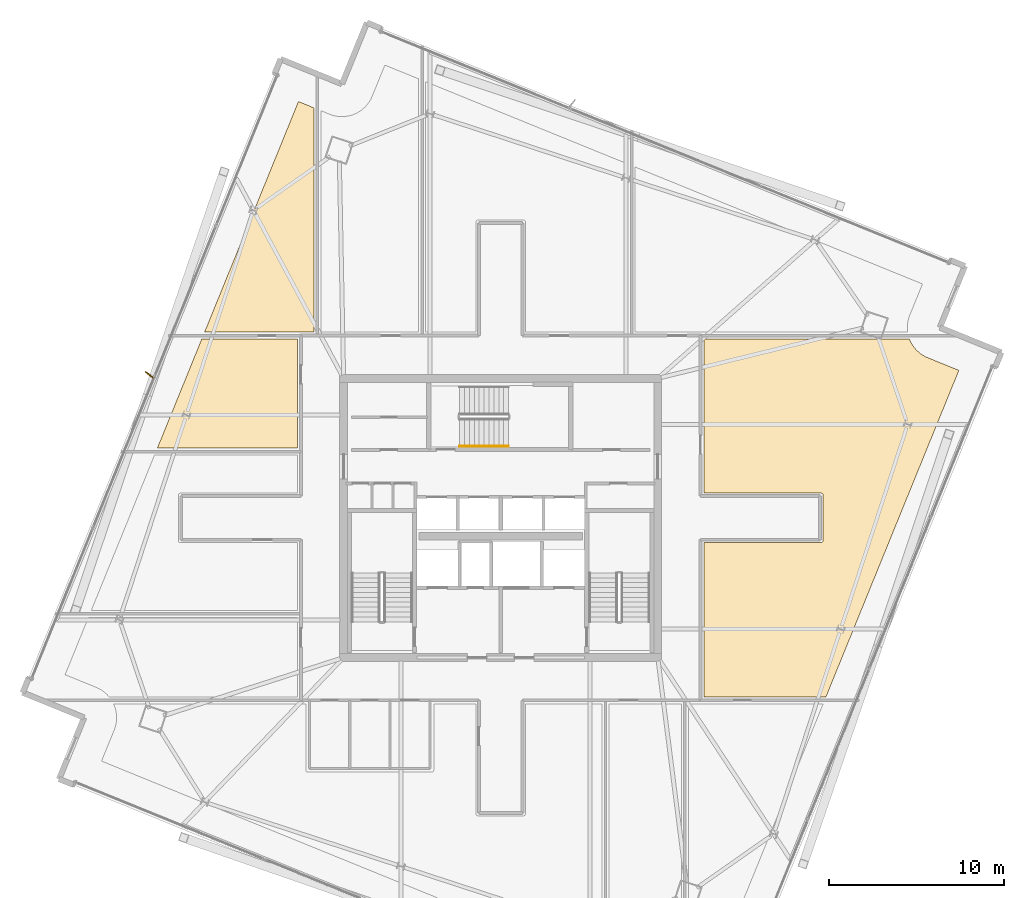
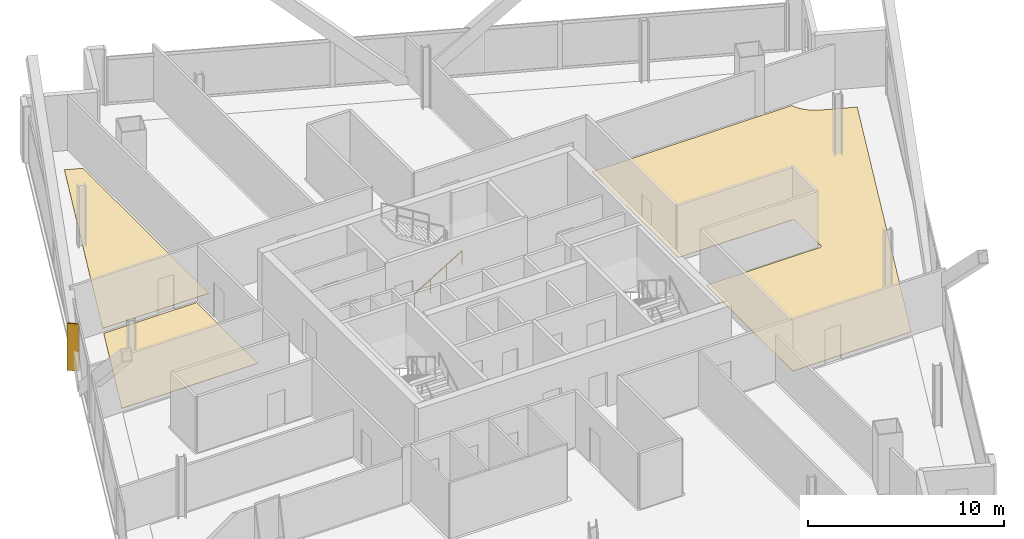
# One storey, part 29 of 31: 3 coverings, 1 railing, 1 shading device.
"""IFC4 building model written with IfcOpenShell, lengths in metres."""

from ifc_helpers import new_model, si_unit, direction, frame, origin, origin_2d, place, context, subcontext, project, spatial, polyline, rectangle, outline, extrude, source, transform, mapped, material, layer, layer_set, type_object, element, save


model = new_model("IFC4")

# Units and contexts
model_context = context("Model", 3, precision=1e-05, world=origin(), true_north=direction((0.0, 1.0)))
body_context = subcontext(model_context, "Body", "Model", "MODEL_VIEW")
ifc_project = project(units=[si_unit("LENGTHUNIT", "METRE"), si_unit("AREAUNIT", "SQUARE_METRE"), si_unit("VOLUMEUNIT", "CUBIC_METRE"), si_unit("PLANEANGLEUNIT", "RADIAN"), si_unit("MASSUNIT", "GRAM", prefix="KILO")], contexts=[model_context])

# Site, building, storey
site_placement = place(None, origin())
site = spatial("IfcSite", under=ifc_project, at=site_placement, CompositionType="ELEMENT")
building_placement = place(site_placement, origin())
building = spatial("IfcBuilding", under=site, at=building_placement, Name="Haldenkirk Collegiate Tower", CompositionType="ELEMENT")
storey_placement = place(building_placement, frame((0.0, 0.0, 256.199951171875)))
storey = spatial("IfcBuildingStorey", under=building, at=storey_placement, Name="L64", CompositionType="ELEMENT", Elevation=256.199951171875)

# Coverings
ifc_material_1 = material(Name="Polished collegiate terrazzo", Category="concrete")
ifc_layer_1 = layer(ifc_material_1, 0.02490234375)
ifc_layer_set_1 = layer_set([ifc_layer_1], Name="Polished collegiate terrazzo")
covering_type_1 = type_object("IfcCoveringType", Name="COV-FLOOR-TERRAZZO", PredefinedType="FLOORING", material=ifc_layer_set_1)
covering_1_placement = place(storey_placement, origin())
element("IfcCovering", 1, at=covering_1_placement, inside=storey, type_object=covering_type_1, Name="L64 academic room finish 04", PredefinedType="FLOORING", context=body_context, shape_type="SweptSolid", body=[
    extrude(outline(polyline([(25.300048828125, 49.498291015625), (25.300048828125, 36.64990234375), (19.033203125, 36.64990234375), (24.410888671875, 49.8603515625), (25.300048828125, 49.498291015625)])), origin(), (0.0, 0.0, 1.0), 0.025146484375),
])
covering_2_placement = place(storey_placement, origin())
element("IfcCovering", 2, at=covering_2_placement, inside=storey, type_object=covering_type_1, Name="L64 academic room finish 10", PredefinedType="FLOORING", context=body_context, shape_type="SweptSolid", body=[
    extrude(outline(polyline([(18.870361328125, 36.25), (24.35009765625, 36.25), (24.35009765625, 30.0), (16.326171875, 30.0), (18.870361328125, 36.25)])), origin(), (0.0, 0.0, 1.0), 0.025146484375),
])
ifc_material_2 = material(Name="Engineered collegiate oak acoustic flooring", Category="wood")
ifc_layer_2 = layer(ifc_material_2, 0.02197265625)
ifc_layer_set_2 = layer_set([ifc_layer_2], Name="Engineered collegiate oak acoustic flooring")
covering_type_2 = type_object("IfcCoveringType", Name="COV-FLOOR-TIMBER", PredefinedType="FLOORING", material=ifc_layer_set_2)
covering_3_placement = place(storey_placement, origin())
element("IfcCovering", 3, at=covering_3_placement, inside=storey, type_object=covering_type_2, Name="L64 academic room finish 11", PredefinedType="FLOORING", context=body_context, shape_type="SweptSolid", body=[
    extrude(outline(polyline([(59.447509765625, 36.19384765625), (59.451904296875, 36.182861328125), (59.5263671875, 36.028076171875), (59.531982421875, 36.017822265625), (59.621337890625, 35.87109375), (59.627685546875, 35.861328125), (59.73095703125, 35.72412109375), (59.738525390625, 35.715087890625), (59.8544921875, 35.58837890625), (59.863037109375, 35.580078125), (59.990966796875, 35.465576171875), (60.0, 35.458251953125), (60.138671875, 35.356689453125), (60.1484375, 35.35009765625), (60.29638671875, 35.2626953125), (60.306884765625, 35.25732421875), (60.46240234375, 35.184814453125), (60.468017578125, 35.1826171875), (62.25537109375, 34.454833984375), (54.64111328125, 15.75), (47.64990234375, 15.75), (47.64990234375, 24.580078125), (54.35009765625, 24.580078125), (54.36181640625, 24.58056640625), (54.373291015625, 24.582275390625), (54.384765625, 24.585205078125), (54.39599609375, 24.589111328125), (54.406494140625, 24.59423828125), (54.416748046875, 24.60009765625), (54.426025390625, 24.607177734375), (54.434814453125, 24.614990234375), (54.44287109375, 24.623779296875), (54.44970703125, 24.63330078125), (54.455810546875, 24.643310546875), (54.4609375, 24.654052734375), (54.46484375, 24.665283203125), (54.4677734375, 24.676513671875), (54.469482421875, 24.688232421875), (54.469970703125, 24.699951171875), (54.469970703125, 27.300048828125), (54.469482421875, 27.311767578125), (54.4677734375, 27.323486328125), (54.46484375, 27.334716796875), (54.4609375, 27.345947265625), (54.455810546875, 27.356689453125), (54.44970703125, 27.36669921875), (54.44287109375, 27.376220703125), (54.434814453125, 27.385009765625), (54.426025390625, 27.392822265625), (54.416748046875, 27.39990234375), (54.406494140625, 27.40576171875), (54.39599609375, 27.410888671875), (54.384765625, 27.414794921875), (54.373291015625, 27.417724609375), (54.36181640625, 27.41943359375), (54.35009765625, 27.419921875), (47.64990234375, 27.419921875), (47.64990234375, 36.25), (59.427001953125, 36.25), (59.447509765625, 36.19384765625)])), origin(), (0.0, 0.0, 1.0), 0.02197265625),
])

# Railing
ifc_material_3 = material(Name="Painted architectural tubular steel", Category="steel")
railing_type = type_object("IfcRailingType", Name="RLG-STAIR-HANDRAIL-900", PredefinedType="HANDRAIL", material=ifc_material_3)
railing_placement = place(storey_placement, frame((33.64990234375, 30.10009765625, 0.17041015625)))
element("IfcRailing", 4, at=railing_placement, inside=storey, type_object=railing_type, Name="L64 ST-3 stair handrail 1", PredefinedType="HANDRAIL", context=body_context, shape_type="SweptSolid", body=[
    extrude(rectangle(XDim=0.048095703125, YDim=0.048095703125, at=origin_2d()), frame((0.0, 0.0, 0.8759765625), z_axis=(0.854169791009, 0.0, 0.51999420009), x_axis=(0.0, 1.0, 0.0)), (0.0, 0.0, 1.0), 3.278076171875),
    extrude(rectangle(XDim=0.0419921875, YDim=0.0419921875, at=origin_2d()), origin(), (0.0, 0.0, 1.0), 0.851806640625),
    extrude(rectangle(XDim=0.0419921875, YDim=0.0419921875, at=origin_2d()), frame((0.933349609375, 0.0, 0.568115234375)), (0.0, 0.0, 1.0), 0.851806640625),
    extrude(rectangle(XDim=0.0419921875, YDim=0.0419921875, at=origin_2d()), frame((1.86669921875, 0.0, 1.136474609375)), (0.0, 0.0, 1.0), 0.851806640625),
    extrude(rectangle(XDim=0.0419921875, YDim=0.0419921875, at=origin_2d()), frame((2.800048828125, 0.0, 1.70458984375)), (0.0, 0.0, 1.0), 0.851806640625),
])

# Shading device
ifc_material_4 = material(Name="Anodised architectural bronze aluminium", Category="aluminium")
ifc_layer_3 = layer(ifc_material_4, 0.06494140625)
ifc_layer_set_3 = layer_set([ifc_layer_3], Name="Anodised architectural bronze aluminium")
shading_device_type = type_object("IfcShadingDeviceType", Name="SHD-FIN-BRONZE-620", PredefinedType="USERDEFINED", material=ifc_layer_set_3)
shared_shape = source(origin(), body_context, "Body", "SweptSolid", [
    extrude(rectangle(XDim=0.6201171875, YDim=0.06494140625, at=origin_2d()), origin(), (0.0, 0.0, 1.0), 2.93798828125),
])
shading_device_placement = place(storey_placement, frame((15.887451171875, 34.187255859375, 0.0), z_axis=(0.0, 0.0, 1.0), x_axis=(-0.786396257006, 0.61772237046, 0.0)))
element("IfcShadingDevice", 5, at=shading_device_placement, inside=storey, type_object=shading_device_type, Name="L64 folded bronze solar fin 1", ObjectType="FIN", PredefinedType="USERDEFINED", context=body_context, shape_type="MappedRepresentation", body=[
    mapped(shared_shape, transform((0.0, 0.0, 0.0), x_axis=(1.0, 0.0, 0.0), y_axis=(0.0, 1.0, 0.0), z_axis=(0.0, 0.0, 1.0), scale=1.0)),
])

save(model, "model.ifc")
